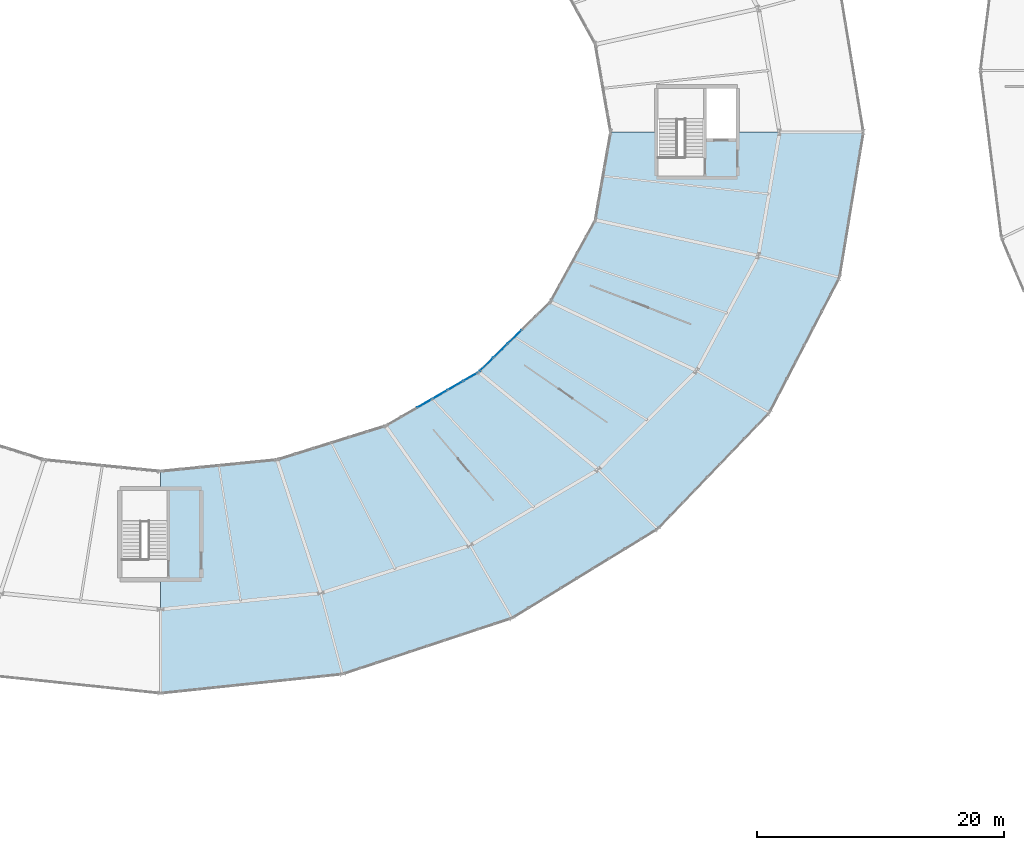
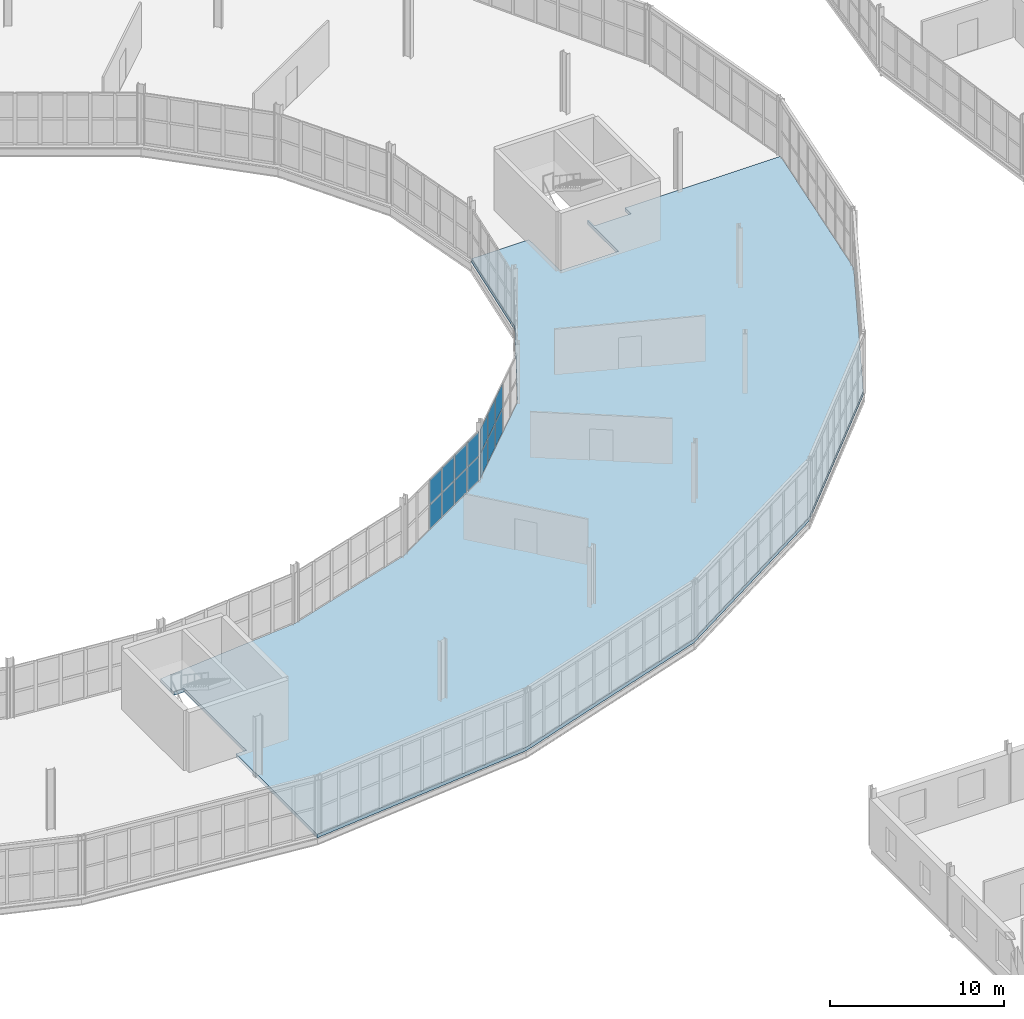
# One storey, part 116 of 161: 14 plates, 1 slab, 2 elements without a shape of their own.
"""IFC4 building model written with IfcOpenShell, lengths in metres."""

from ifc_helpers import new_model, si_unit, direction, frame, origin, origin_2d, place, context, subcontext, project, spatial, polyline, rectangle, outline, extrude, material, layer, layer_set, type_object, element, aggregate, save


model = new_model("IFC4")

# Units and contexts
model_context = context("Model", 3, precision=1e-05, world=origin(), true_north=direction((0.0, 1.0)))
body_context = subcontext(model_context, "Body", "Model", "MODEL_VIEW")
ifc_project = project(units=[si_unit("LENGTHUNIT", "METRE"), si_unit("AREAUNIT", "SQUARE_METRE"), si_unit("VOLUMEUNIT", "CUBIC_METRE"), si_unit("PLANEANGLEUNIT", "RADIAN"), si_unit("MASSUNIT", "GRAM", prefix="KILO")], contexts=[model_context])

# Site, building, storey
site_placement = place(None, origin())
site = spatial("IfcSite", under=ifc_project, at=site_placement, CompositionType="ELEMENT")
building_placement = place(site_placement, origin())
building = spatial("IfcBuilding", under=site, at=building_placement, Name="Kildeholm Park Wholesale Market", CompositionType="ELEMENT")
storey_placement = place(building_placement, frame((0.0, 0.0, 5.39990234375)))
storey = spatial("IfcBuildingStorey", under=building, at=storey_placement, Name="L01", CompositionType="ELEMENT", Elevation=5.39990234375)

# Curtain wall, plates
ifc_material_1 = material(Name="Anodised aluminium and low-E double-glazed glass", Category="aluminium")
curtain_wall_type = type_object("IfcCurtainWallType", Name="Market hall glazed arcade stick curtain wall CW-01", PredefinedType="NOTDEFINED", material=ifc_material_1)
curtain_wall_1_placement = place(storey_placement, origin())
curtain_wall_1 = element("IfcCurtainWall", 1, at=curtain_wall_1_placement, inside=storey, type_object=curtain_wall_type, Name="Curtain wall CW-V1-IN1-20 CW-0102", PredefinedType="NOTDEFINED")
ifc_material_2 = material(Name="Double-glazed low-E insulated glass", Category="glass")
ifc_layer_1 = layer(ifc_material_2, 0.028076171875)
ifc_layer_set_1 = layer_set([ifc_layer_1], Name="Double-glazed low-E insulated glass")
plate_type = type_object("IfcPlateType", Name="Curtain-wall panel CWP-1 28 mm", PredefinedType="CURTAIN_PANEL", material=ifc_layer_set_1)
plate_1_placement = place(storey_placement, frame((120.408935546875, 67.505126953125, 0.074951171875), z_axis=(0.0, 0.0, 1.0), x_axis=(0.865742656621, 0.500489412982, 0.0)))
plate_1 = element("IfcPlate", 2, at=plate_1_placement, type_object=plate_type, Name="CW-01 panel 3.1 PLT-1538", PredefinedType="CURTAIN_PANEL", context=body_context, shape_type="SweptSolid", body=[
    extrude(rectangle(XDim=1.366943359375, YDim=0.028076171875, at=origin_2d()), origin(), (0.0, 0.0, 1.0), 1.66259765625),
])
plate_2_placement = place(storey_placement, frame((120.408935546875, 67.505126953125, 1.8125), z_axis=(0.0, 0.0, 1.0), x_axis=(0.865742656621, 0.500489412982, 0.0)))
plate_2 = element("IfcPlate", 3, at=plate_2_placement, type_object=plate_type, Name="CW-01 panel 3.2 PLT-1539", PredefinedType="CURTAIN_PANEL", context=body_context, shape_type="SweptSolid", body=[
    extrude(rectangle(XDim=1.366943359375, YDim=0.028076171875, at=origin_2d()), origin(), (0.0, 0.0, 1.0), 1.66259765625),
])
plate_3_placement = place(storey_placement, frame((121.6572265625, 68.226806640625, 0.074951171875), z_axis=(0.0, 0.0, 1.0), x_axis=(0.865742656621, 0.500489412982, 0.0)))
plate_3 = element("IfcPlate", 4, at=plate_3_placement, type_object=plate_type, Name="CW-01 panel 4.1 PLT-1540", PredefinedType="CURTAIN_PANEL", context=body_context, shape_type="SweptSolid", body=[
    extrude(rectangle(XDim=1.366943359375, YDim=0.028076171875, at=origin_2d()), origin(), (0.0, 0.0, 1.0), 1.66259765625),
])
plate_4_placement = place(storey_placement, frame((121.6572265625, 68.226806640625, 1.8125), z_axis=(0.0, 0.0, 1.0), x_axis=(0.865742656621, 0.500489412982, 0.0)))
plate_4 = element("IfcPlate", 5, at=plate_4_placement, type_object=plate_type, Name="CW-01 panel 4.2 PLT-1541", PredefinedType="CURTAIN_PANEL", context=body_context, shape_type="SweptSolid", body=[
    extrude(rectangle(XDim=1.366943359375, YDim=0.028076171875, at=origin_2d()), origin(), (0.0, 0.0, 1.0), 1.66259765625),
])
plate_5_placement = place(storey_placement, frame((122.905517578125, 68.948486328125, 0.074951171875), z_axis=(0.0, 0.0, 1.0), x_axis=(0.865742656621, 0.500489412982, 0.0)))
plate_5 = element("IfcPlate", 6, at=plate_5_placement, type_object=plate_type, Name="CW-01 panel 5.1 PLT-1542", PredefinedType="CURTAIN_PANEL", context=body_context, shape_type="SweptSolid", body=[
    extrude(rectangle(XDim=1.366943359375, YDim=0.028076171875, at=origin_2d()), origin(), (0.0, 0.0, 1.0), 1.66259765625),
])
plate_6_placement = place(storey_placement, frame((122.905517578125, 68.948486328125, 1.8125), z_axis=(0.0, 0.0, 1.0), x_axis=(0.865742656621, 0.500489412982, 0.0)))
plate_6 = element("IfcPlate", 7, at=plate_6_placement, type_object=plate_type, Name="CW-01 panel 5.2 PLT-1543", PredefinedType="CURTAIN_PANEL", context=body_context, shape_type="SweptSolid", body=[
    extrude(rectangle(XDim=1.366943359375, YDim=0.028076171875, at=origin_2d()), origin(), (0.0, 0.0, 1.0), 1.66259765625),
])
plate_7_placement = place(storey_placement, frame((124.1376953125, 69.660888671875, 0.074951171875), z_axis=(0.0, 0.0, 1.0), x_axis=(0.865742656621, 0.500489412982, 0.0)))
plate_7 = element("IfcPlate", 8, at=plate_7_placement, type_object=plate_type, Name="CW-01 panel 6.1 PLT-1544", PredefinedType="CURTAIN_PANEL", context=body_context, shape_type="SweptSolid", body=[
    extrude(rectangle(XDim=1.329345703125, YDim=0.028076171875, at=origin_2d()), origin(), (0.0, 0.0, 1.0), 1.66259765625),
])
plate_8_placement = place(storey_placement, frame((124.1376953125, 69.660888671875, 1.8125), z_axis=(0.0, 0.0, 1.0), x_axis=(0.865742656621, 0.500489412982, 0.0)))
plate_8 = element("IfcPlate", 9, at=plate_8_placement, type_object=plate_type, Name="CW-01 panel 6.2 PLT-1545", PredefinedType="CURTAIN_PANEL", context=body_context, shape_type="SweptSolid", body=[
    extrude(rectangle(XDim=1.329345703125, YDim=0.028076171875, at=origin_2d()), origin(), (0.0, 0.0, 1.0), 1.66259765625),
])
aggregate(curtain_wall_1, [plate_1, plate_2, plate_3, plate_4, plate_5, plate_6, plate_7, plate_8])

curtain_wall_2_placement = place(storey_placement, origin())
curtain_wall_2 = element("IfcCurtainWall", 10, at=curtain_wall_2_placement, inside=storey, type_object=curtain_wall_type, Name="Curtain wall CW-V1-IN1-21 CW-0107", PredefinedType="NOTDEFINED")
plate_9_placement = place(storey_placement, frame((125.4306640625, 70.656982421875, 0.074951171875), z_axis=(0.0, 0.0, 1.0), x_axis=(0.713537995789, 0.700616534607, 0.0)))
plate_9 = element("IfcPlate", 11, at=plate_9_placement, type_object=plate_type, Name="CW-01 panel 1.1 PLT-1600", PredefinedType="CURTAIN_PANEL", context=body_context, shape_type="SweptSolid", body=[
    extrude(rectangle(XDim=1.497314453125, YDim=0.028076171875, at=origin_2d()), origin(), (0.0, 0.0, 1.0), 1.66259765625),
])
plate_10_placement = place(storey_placement, frame((125.4306640625, 70.656982421875, 1.8125), z_axis=(0.0, 0.0, 1.0), x_axis=(0.713537995789, 0.700616534607, 0.0)))
plate_10 = element("IfcPlate", 12, at=plate_10_placement, type_object=plate_type, Name="CW-01 panel 1.2 PLT-1601", PredefinedType="CURTAIN_PANEL", context=body_context, shape_type="SweptSolid", body=[
    extrude(rectangle(XDim=1.497314453125, YDim=0.028076171875, at=origin_2d()), origin(), (0.0, 0.0, 1.0), 1.66259765625),
])
plate_11_placement = place(storey_placement, frame((126.56591796875, 71.771728515625, 0.074951171875), z_axis=(0.0, 0.0, 1.0), x_axis=(0.713537995789, 0.700616534607, 0.0)))
plate_11 = element("IfcPlate", 13, at=plate_11_placement, type_object=plate_type, Name="CW-01 panel 2.1 PLT-1602", PredefinedType="CURTAIN_PANEL", context=body_context, shape_type="SweptSolid", body=[
    extrude(rectangle(XDim=1.53466796875, YDim=0.028076171875, at=origin_2d()), origin(), (0.0, 0.0, 1.0), 1.66259765625),
])
plate_12_placement = place(storey_placement, frame((126.56591796875, 71.771728515625, 1.8125), z_axis=(0.0, 0.0, 1.0), x_axis=(0.713537995789, 0.700616534607, 0.0)))
plate_12 = element("IfcPlate", 14, at=plate_12_placement, type_object=plate_type, Name="CW-01 panel 2.2 PLT-1603", PredefinedType="CURTAIN_PANEL", context=body_context, shape_type="SweptSolid", body=[
    extrude(rectangle(XDim=1.53466796875, YDim=0.028076171875, at=origin_2d()), origin(), (0.0, 0.0, 1.0), 1.66259765625),
])
plate_13_placement = place(storey_placement, frame((127.714599609375, 72.8994140625, 0.074951171875), z_axis=(0.0, 0.0, 1.0), x_axis=(0.713537995789, 0.700616534607, 0.0)))
plate_13 = element("IfcPlate", 15, at=plate_13_placement, type_object=plate_type, Name="CW-01 panel 3.1 PLT-1604", PredefinedType="CURTAIN_PANEL", context=body_context, shape_type="SweptSolid", body=[
    extrude(rectangle(XDim=1.53466796875, YDim=0.028076171875, at=origin_2d()), origin(), (0.0, 0.0, 1.0), 1.66259765625),
])
plate_14_placement = place(storey_placement, frame((127.714599609375, 72.8994140625, 1.8125), z_axis=(0.0, 0.0, 1.0), x_axis=(0.713537995789, 0.700616534607, 0.0)))
plate_14 = element("IfcPlate", 16, at=plate_14_placement, type_object=plate_type, Name="CW-01 panel 3.2 PLT-1605", PredefinedType="CURTAIN_PANEL", context=body_context, shape_type="SweptSolid", body=[
    extrude(rectangle(XDim=1.53466796875, YDim=0.028076171875, at=origin_2d()), origin(), (0.0, 0.0, 1.0), 1.66259765625),
])
aggregate(curtain_wall_2, [plate_9, plate_10, plate_11, plate_12, plate_13, plate_14])

# Slab
ifc_material_3 = material(Name="Concrete C35/45", Category="concrete")
ifc_layer_2 = layer(ifc_material_3, 0.25)
ifc_layer_set_2 = layer_set([ifc_layer_2], Name="Concrete C35/45")
slab_type = type_object("IfcSlabType", Name="Slab S-FL1 250 mm", PredefinedType="FLOOR", material=ifc_layer_set_2)
slab_placement = place(storey_placement, frame((0.0, 0.0, -0.25)))
element("IfcSlab", 17, at=slab_placement, inside=storey, type_object=slab_type, Name="Produce hall L01 gallery slab quadrant 4 SLB-0011", PredefinedType="FLOOR", context=body_context, shape_type="SweptSolid", body=[
    extrude(outline(polyline([(156.0, 89.5), (154.05810546875, 77.72412109375), (148.363037109375, 66.75), (139.304931640625, 57.326904296875), (127.5, 50.095947265625), (113.7529296875, 45.550048828125), (99.0, 44.0), (99.0, 53.320068359375), (99.679931640625, 53.320068359375), (99.679931640625, 60.47998046875), (99.0, 60.47998046875), (99.0, 62.0), (108.447021484375, 62.93701171875), (117.25, 65.68408203125), (124.80908203125, 70.054931640625), (130.610107421875, 75.75), (134.256103515625, 82.382080078125), (135.5, 89.5), (139.320068359375, 89.5), (139.320068359375, 85.919921875), (143.179931640625, 85.919921875), (143.179931640625, 89.5), (143.280029296875, 89.5), (143.280029296875, 88.820068359375), (145.679931640625, 88.820068359375), (145.679931640625, 89.5), (156.0, 89.5)])), origin(), (0.0, 0.0, 1.0), 0.25),
])

save(model, "model.ifc")
